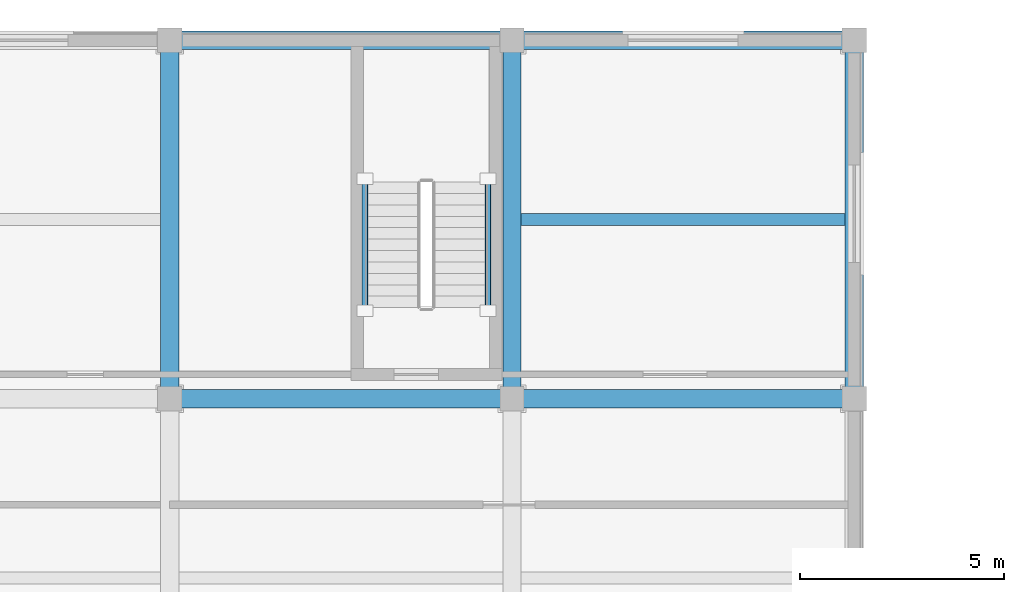
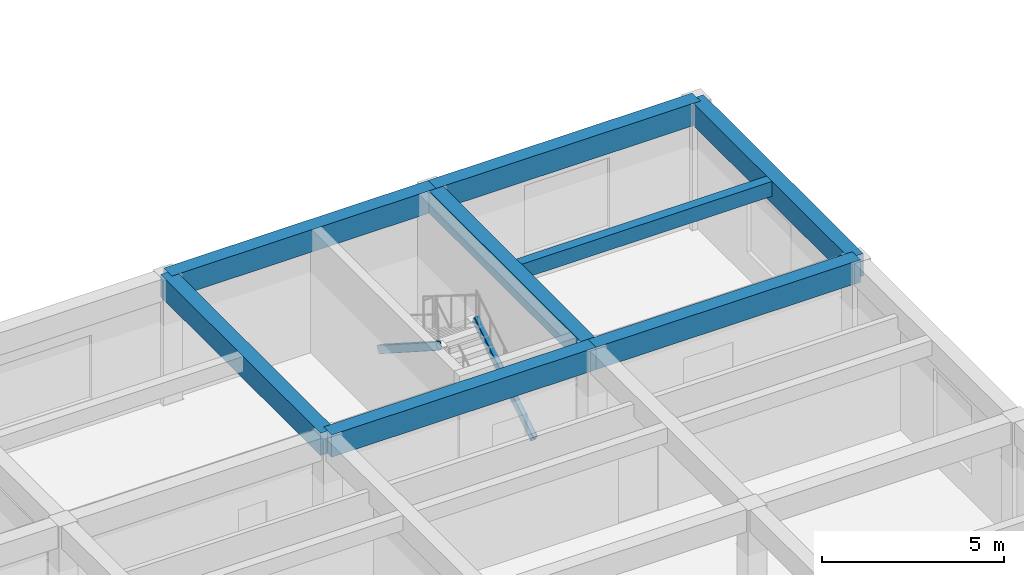
# One storey, part 17 of 46: 8 beams, 2 members.
"""IFC4 building model written with IfcOpenShell, lengths in metres."""

from ifc_helpers import new_model, si_unit, direction, frame, origin, origin_2d, place, context, subcontext, project, spatial, rectangle, hollow_rectangle, extrude, material, material_profile, profile_set, type_object, element, save


model = new_model("IFC4")

# Units and contexts
model_context = context("Model", 3, precision=1e-05, world=origin(), true_north=direction((0.0, 1.0)))
body_context = subcontext(model_context, "Body", "Model", "MODEL_VIEW")
ifc_project = project(units=[si_unit("LENGTHUNIT", "METRE"), si_unit("AREAUNIT", "SQUARE_METRE"), si_unit("VOLUMEUNIT", "CUBIC_METRE"), si_unit("PLANEANGLEUNIT", "RADIAN"), si_unit("MASSUNIT", "GRAM", prefix="KILO")], contexts=[model_context])

# Site, building, storey
site_placement = place(None, origin())
site = spatial("IfcSite", under=ifc_project, at=site_placement, CompositionType="ELEMENT")
building_placement = place(site_placement, origin())
building = spatial("IfcBuilding", under=site, at=building_placement, Name="Kemercrest Conservatory and Botanical Centre", CompositionType="ELEMENT")
storey_placement = place(building_placement, frame((0.0, 0.0, 9.0)))
storey = spatial("IfcBuildingStorey", under=building, at=storey_placement, Name="L02", CompositionType="ELEMENT", Elevation=9.0)

# Beams
ifc_material_1 = material(Name="Concrete C40/50", Category="concrete")
ifc_material_profile_1 = material_profile(ifc_material_1, rectangle(XDim=0.449951171875, YDim=0.75, at=origin_2d()), Name="RC 450x750")
ifc_profile_set_1 = profile_set([ifc_material_profile_1], Name="Concrete C40/50")
beam_type_1 = type_object("IfcBeamType", Name="BM-RC75", PredefinedType="BEAM", material=ifc_profile_set_1)
beam_1_placement = place(storey_placement, frame((75.199951171875, 113.60009765625, 3.824951171875), z_axis=(1.0, 0.0, 0.0), x_axis=(0.0, 1.0, 0.0)))
element("IfcBeam", 1, at=beam_1_placement, inside=storey, type_object=beam_type_1, Name="V3-L03 beam BM-RC75 N/09-10", PredefinedType="BEAM", context=body_context, shape_type="SweptSolid", body=[
    extrude(rectangle(XDim=0.449951171875, YDim=0.75, at=origin_2d()), origin(), (0.0, 0.0, 1.0), 8.400146484375),
])
beam_2_placement = place(storey_placement, frame((83.60009765625, 113.60009765625, 3.824951171875), z_axis=(1.0, 0.0, 0.0), x_axis=(0.0, 1.0, 0.0)))
element("IfcBeam", 2, at=beam_2_placement, inside=storey, type_object=beam_type_1, Name="V3-L03 beam BM-RC75 N/10-11", PredefinedType="BEAM", context=body_context, shape_type="SweptSolid", body=[
    extrude(rectangle(XDim=0.449951171875, YDim=0.75, at=origin_2d()), origin(), (0.0, 0.0, 1.0), 8.39990234375),
])
for number, where, z_axis, x_axis, name in (
    (3, (75.199951171875, 113.60009765625, 3.824951171875), (0.0, 1.0, 0.0), (-1.0, 0.0, 0.0), "V3-L03 beam BM-RC75 09/N-P"),
    (4, (83.60009765625, 113.60009765625, 3.824951171875), (0.0, 1.0, 0.0), (-1.0, 0.0, 0.0), "V3-L03 beam BM-RC75 10/N-P"),
):
    element("IfcBeam", number, at=place(storey_placement, frame(where, z_axis=z_axis, x_axis=x_axis)), inside=storey, type_object=beam_type_1, Name=name, PredefinedType="BEAM", context=body_context, shape_type="SweptSolid", body=[
        extrude(rectangle(XDim=0.449951171875, YDim=0.75, at=origin_2d()), origin(), (0.0, 0.0, 1.0), 8.7998046875),
    ])
ifc_material_profile_2 = material_profile(ifc_material_1, rectangle(XDim=0.300048828125, YDim=0.5, at=origin_2d()), Name="RC 300x500")
ifc_profile_set_2 = profile_set([ifc_material_profile_2], Name="Concrete C40/50")
beam_type_2 = type_object("IfcBeamType", Name="JS-RC50", PredefinedType="JOIST", material=ifc_profile_set_2)
beam_3_placement = place(storey_placement, frame((83.824951171875, 118.0, 3.949951171875), z_axis=(1.0, 0.0, 0.0), x_axis=(0.0, 1.0, 0.0)))
element("IfcBeam", 5, at=beam_3_placement, inside=storey, type_object=beam_type_2, Name="V3-L03 secondary joist JS-RC50", PredefinedType="JOIST", context=body_context, shape_type="SweptSolid", body=[
    extrude(rectangle(XDim=0.300048828125, YDim=0.5, at=origin_2d()), origin(), (0.0, 0.0, 1.0), 7.949951171875),
])
ifc_material_profile_3 = material_profile(ifc_material_1, rectangle(XDim=0.449951171875, YDim=0.75, at=origin_2d()), Name="RC 450x750")
ifc_profile_set_3 = profile_set([ifc_material_profile_3], Name="Concrete C40/50")
beam_type_3 = type_object("IfcBeamType", Name="SP-RC75", PredefinedType="SPANDREL", material=ifc_profile_set_3)
beam_4_placement = place(storey_placement, frame((75.199951171875, 122.39990234375, 3.824951171875), z_axis=(1.0, 0.0, 0.0), x_axis=(0.0, 1.0, 0.0)))
element("IfcBeam", 6, at=beam_4_placement, inside=storey, type_object=beam_type_3, Name="V3-L03 beam SP-RC75 P/09-10", PredefinedType="SPANDREL", context=body_context, shape_type="SweptSolid", body=[
    extrude(rectangle(XDim=0.449951171875, YDim=0.75, at=origin_2d()), origin(), (0.0, 0.0, 1.0), 8.400146484375),
])
beam_5_placement = place(storey_placement, frame((83.60009765625, 122.39990234375, 3.824951171875), z_axis=(1.0, 0.0, 0.0), x_axis=(0.0, 1.0, 0.0)))
element("IfcBeam", 7, at=beam_5_placement, inside=storey, type_object=beam_type_3, Name="V3-L03 beam SP-RC75 P/10-11", PredefinedType="SPANDREL", context=body_context, shape_type="SweptSolid", body=[
    extrude(rectangle(XDim=0.449951171875, YDim=0.75, at=origin_2d()), origin(), (0.0, 0.0, 1.0), 8.39990234375),
])
beam_6_placement = place(storey_placement, frame((92.0, 113.60009765625, 3.824951171875), z_axis=(0.0, 1.0, 0.0), x_axis=(-1.0, 0.0, 0.0)))
element("IfcBeam", 8, at=beam_6_placement, inside=storey, type_object=beam_type_3, Name="V3-L03 beam SP-RC75 11/N-P", PredefinedType="SPANDREL", context=body_context, shape_type="SweptSolid", body=[
    extrude(rectangle(XDim=0.449951171875, YDim=0.75, at=origin_2d()), origin(), (0.0, 0.0, 1.0), 8.7998046875),
])

# Members
ifc_material_2 = material(Name="Steel CSA G40.21 350W", Category="steel")
ifc_material_profile_4 = material_profile(ifc_material_2, hollow_rectangle(XDim=0.15234375, YDim=0.25390625, WallThickness=0.009521484375, InnerFilletRadius=0.009521484375, OuterFilletRadius=0.01904296875, at=origin_2d()), Name="HSS 254x152x9.5")
ifc_profile_set_4 = profile_set([ifc_material_profile_4], Name="Steel CSA G40.21 350W")
member_type = type_object("IfcMemberType", Name="SR-STR254", PredefinedType="STRINGER", material=ifc_profile_set_4)
for number, where, z_axis, x_axis, name in (
    (9, (83.010009765625, 115.760009765625, -0.10009765625), (0.0, 0.84150589802, 0.540247927898), (-1.0, 0.0, 0.0), "Stair ST-V3B steel stringer #35"),
    (10, (79.989990234375, 115.760009765625, 4.080078125), (0.0, 0.84150589802, -0.540247927898), (-1.0, 0.0, 0.0), "Stair ST-V3B steel stringer #36"),
):
    element("IfcMember", number, at=place(storey_placement, frame(where, z_axis=z_axis, x_axis=x_axis)), inside=storey, type_object=member_type, Name=name, PredefinedType="STRINGER", context=body_context, shape_type="SweptSolid", body=[
        extrude(hollow_rectangle(XDim=0.15234375, YDim=0.25390625, WallThickness=0.009521484375, InnerFilletRadius=0.009521484375, OuterFilletRadius=0.01904296875, at=origin_2d()), origin(), (0.0, 0.0, 1.0), 3.850341796875),
    ])

save(model, "model.ifc")
